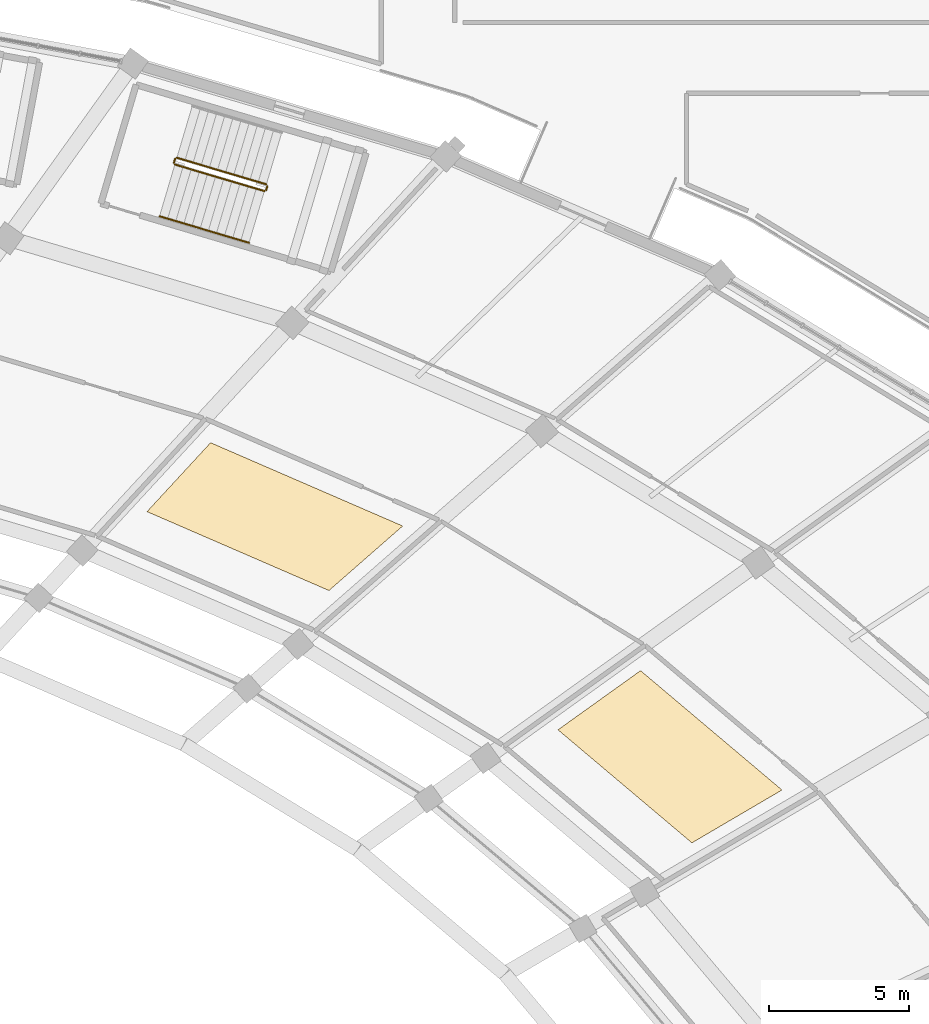
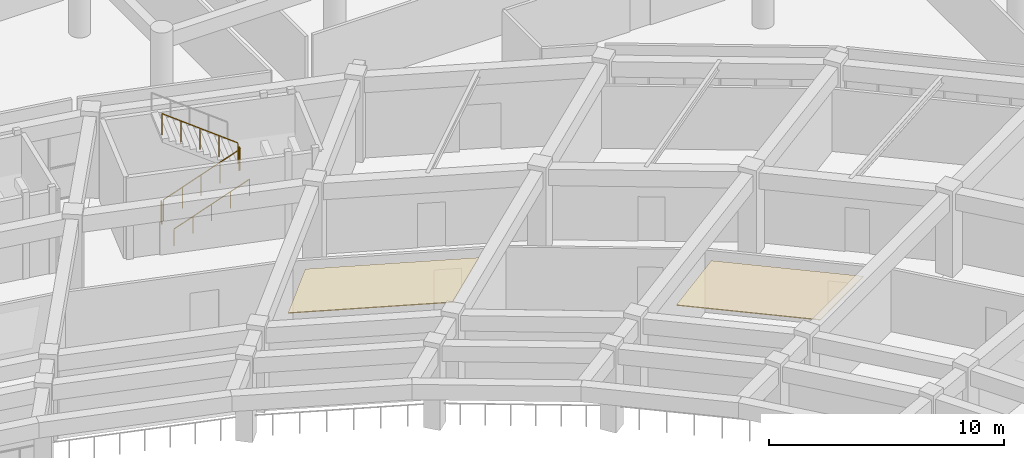
# One storey, part 143 of 145: 5 railings, 2 coverings.
"""IFC4 building model written with IfcOpenShell, lengths in metres."""

from ifc_helpers import new_model, si_unit, direction, frame, origin, origin_2d, place, context, subcontext, project, spatial, polyline, circle, outline, extrude, material, layer, layer_set, type_object, element, save


model = new_model("IFC4")

# Units and contexts
model_context = context("Model", 3, precision=1e-05, world=origin(), true_north=direction((0.0, 1.0)))
body_context = subcontext(model_context, "Body", "Model", "MODEL_VIEW")
ifc_project = project(units=[si_unit("LENGTHUNIT", "METRE"), si_unit("AREAUNIT", "SQUARE_METRE"), si_unit("VOLUMEUNIT", "CUBIC_METRE"), si_unit("PLANEANGLEUNIT", "RADIAN"), si_unit("MASSUNIT", "GRAM", prefix="KILO")], contexts=[model_context])

# Site, building, storey
site_placement = place(None, origin())
site = spatial("IfcSite", under=ifc_project, at=site_placement, CompositionType="ELEMENT")
building_placement = place(site_placement, origin())
building = spatial("IfcBuilding", under=site, at=building_placement, Name="Mphavela Belvedere Stadium", CompositionType="ELEMENT")
storey_placement = place(building_placement, frame((0.0, 0.0, 10.199951171875)))
storey = spatial("IfcBuildingStorey", under=building, at=storey_placement, Name="L02", CompositionType="ELEMENT", Elevation=10.199951171875)

# Coverings
ifc_material_1 = material(Name="Perforated acoustic mineral ceiling tile")
ifc_layer = layer(ifc_material_1, 0.0400390625)
ifc_layer_set = layer_set([ifc_layer], Name="Perforated acoustic mineral ceiling tile")
covering_type = type_object("IfcCoveringType", Name="COV-CEILING-ACOUSTIC", PredefinedType="CEILING", material=ifc_layer_set)
covering_1_placement = place(storey_placement, frame((0.0, 0.0, 3.199951171875)))
element("IfcCovering", 1, at=covering_1_placement, inside=storey, type_object=covering_type, Name="Concourse acoustic ceiling L02-06", PredefinedType="CEILING", context=body_context, shape_type="SweptSolid", body=[
    extrude(outline(polyline([(184.69921875, 128.660888671875), (179.931640625, 132.683837890625), (182.870849609375, 134.789794921875), (187.905029296875, 130.5419921875), (184.69921875, 128.660888671875)])), origin(), (0.0, 0.0, 1.0), 0.0400390625),
])
covering_2_placement = place(storey_placement, frame((0.0, 0.0, 3.199951171875)))
element("IfcCovering", 2, at=covering_2_placement, inside=storey, type_object=covering_type, Name="Concourse acoustic ceiling L02-08", PredefinedType="CEILING", context=body_context, shape_type="SweptSolid", body=[
    extrude(outline(polyline([(171.78125, 137.64111328125), (165.30419921875, 140.44921875), (167.56689453125, 142.9033203125), (174.406494140625, 139.938232421875), (171.78125, 137.64111328125)])), origin(), (0.0, 0.0, 1.0), 0.0400390625),
])

# Railings
ifc_material_2 = material(Name="Painted galvanised steel stair guardrail", Category="steel")
railing_type_1 = type_object("IfcRailingType", Name="RAL-GUARD-1120", PredefinedType="GUARDRAIL", material=ifc_material_2)
railing_1_placement = place(storey_placement, frame((166.296875, 152.803955078125, 0.1875)))
element("IfcRailing", 3, at=railing_1_placement, inside=storey, type_object=railing_type_1, Name="L02 ST-P01 stair guard 1", PredefinedType="GUARDRAIL", context=body_context, shape_type="SweptSolid", body=[
    extrude(circle(Radius=0.02392578125, at=origin_2d()), frame((0.0, 0.0, 1.09619140625), z_axis=(0.814477182491, -0.241689626173, 0.527459044667), x_axis=(0.284481150233, 0.958681633892, 0.0)), (0.0, 0.0, 1.0), 3.91015625),
    extrude(circle(Radius=0.02099609375, at=origin_2d()), origin(), (0.0, 0.0, 1.0), 1.072021484375),
    extrude(circle(Radius=0.02099609375, at=origin_2d()), frame((0.796142578125, -0.236328125, 0.515625)), (0.0, 0.0, 1.0), 1.072021484375),
    extrude(circle(Radius=0.02099609375, at=origin_2d()), frame((1.59228515625, -0.47265625, 1.03125)), (0.0, 0.0, 1.0), 1.072021484375),
    extrude(circle(Radius=0.02099609375, at=origin_2d()), frame((2.388671875, -0.708740234375, 1.546875)), (0.0, 0.0, 1.0), 1.072021484375),
    extrude(circle(Radius=0.02099609375, at=origin_2d()), frame((3.184814453125, -0.945068359375, 2.0625)), (0.0, 0.0, 1.0), 1.072021484375),
])
railing_2_placement = place(storey_placement, frame((169.543701171875, 151.892578125, 2.25)))
element("IfcRailing", 4, at=railing_2_placement, inside=storey, type_object=railing_type_1, Name="L02 ST-P01 stair guard 2", PredefinedType="GUARDRAIL", context=body_context, shape_type="SweptSolid", body=[
    extrude(circle(Radius=0.02392578125, at=origin_2d()), frame((0.0, 0.0, 1.09619140625), z_axis=(0.284808608521, 0.958584402394, 0.0), x_axis=(-0.958584402394, 0.284808608521, 0.0)), (0.0, 0.0, 1.0), 0.14990234375),
    extrude(circle(Radius=0.02099609375, at=origin_2d()), origin(), (0.0, 0.0, 1.0), 1.072021484375),
    extrude(circle(Radius=0.02099609375, at=origin_2d()), frame((0.042724609375, 0.143798828125, 0.0)), (0.0, 0.0, 1.0), 1.072021484375),
])
railing_3_placement = place(storey_placement, frame((169.552734375, 152.0986328125, 2.4375)))
element("IfcRailing", 5, at=railing_3_placement, inside=storey, type_object=railing_type_1, Name="L02 ST-P01 stair guard 3", PredefinedType="GUARDRAIL", context=body_context, shape_type="SweptSolid", body=[
    extrude(circle(Radius=0.02392578125, at=origin_2d()), frame((0.0, 0.0, 1.09619140625), z_axis=(-0.814456163261, 0.241701917202, 0.527485868386), x_axis=(-0.284501194376, -0.958675685724, 0.0)), (0.0, 0.0, 1.0), 3.91015625),
    extrude(circle(Radius=0.02099609375, at=origin_2d()), origin(), (0.0, 0.0, 1.0), 1.072021484375),
    extrude(circle(Radius=0.02099609375, at=origin_2d()), frame((-0.796142578125, 0.236328125, 0.515625)), (0.0, 0.0, 1.0), 1.072021484375),
    extrude(circle(Radius=0.02099609375, at=origin_2d()), frame((-1.59228515625, 0.47265625, 1.03125)), (0.0, 0.0, 1.0), 1.072021484375),
    extrude(circle(Radius=0.02099609375, at=origin_2d()), frame((-2.388427734375, 0.708740234375, 1.546875)), (0.0, 0.0, 1.0), 1.072021484375),
    extrude(circle(Radius=0.02099609375, at=origin_2d()), frame((-3.1845703125, 0.945068359375, 2.0625)), (0.0, 0.0, 1.0), 1.072021484375),
])
railing_4_placement = place(storey_placement, frame((166.26318359375, 152.8662109375, 0.0)))
element("IfcRailing", 6, at=railing_4_placement, inside=storey, type_object=railing_type_1, Name="L02 ST-P01 stair guard 4", PredefinedType="GUARDRAIL", context=body_context, shape_type="SweptSolid", body=[
    extrude(circle(Radius=0.02392578125, at=origin_2d()), frame((0.0, 0.0, 1.09619140625), z_axis=(0.284808608521, 0.958584402394, 0.0), x_axis=(-0.958584402394, 0.284808608521, 0.0)), (0.0, 0.0, 1.0), 0.14990234375),
    extrude(circle(Radius=0.02099609375, at=origin_2d()), origin(), (0.0, 0.0, 1.0), 1.072021484375),
    extrude(circle(Radius=0.02099609375, at=origin_2d()), frame((0.042724609375, 0.143798828125, 0.0)), (0.0, 0.0, 1.0), 1.072021484375),
])
ifc_material_3 = material(Name="Brushed stainless steel tubular handrail", Category="steel")
railing_type_2 = type_object("IfcRailingType", Name="RAL-HANDRAIL-900", PredefinedType="HANDRAIL", material=ifc_material_3)
railing_5_placement = place(storey_placement, frame((165.750732421875, 150.96337890625, 0.1875)))
element("IfcRailing", 7, at=railing_5_placement, inside=storey, type_object=railing_type_2, Name="L02 ST-P01 stair handrail 1", PredefinedType="HANDRAIL", context=body_context, shape_type="SweptSolid", body=[
    extrude(circle(Radius=0.02392578125, at=origin_2d()), frame((0.0, 0.0, 0.8759765625), z_axis=(0.814456163261, -0.241701917202, 0.527485868386), x_axis=(0.284501194376, 0.958675685724, 0.0)), (0.0, 0.0, 1.0), 3.91015625),
    extrude(circle(Radius=0.02099609375, at=origin_2d()), origin(), (0.0, 0.0, 1.0), 0.851806640625),
    extrude(circle(Radius=0.02099609375, at=origin_2d()), frame((0.796142578125, -0.236328125, 0.515625)), (0.0, 0.0, 1.0), 0.851806640625),
    extrude(circle(Radius=0.02099609375, at=origin_2d()), frame((1.59228515625, -0.47265625, 1.03125)), (0.0, 0.0, 1.0), 0.851806640625),
    extrude(circle(Radius=0.02099609375, at=origin_2d()), frame((2.388427734375, -0.708740234375, 1.546875)), (0.0, 0.0, 1.0), 0.851806640625),
    extrude(circle(Radius=0.02099609375, at=origin_2d()), frame((3.1845703125, -0.945068359375, 2.0625)), (0.0, 0.0, 1.0), 0.851806640625),
])

save(model, "model.ifc")
